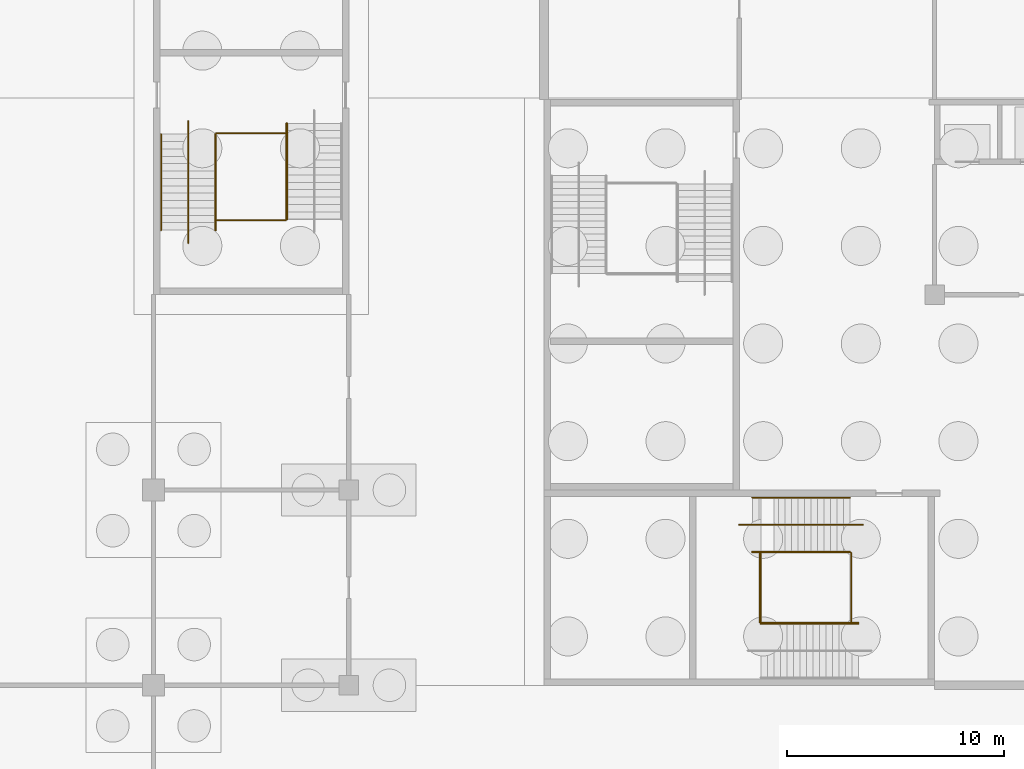
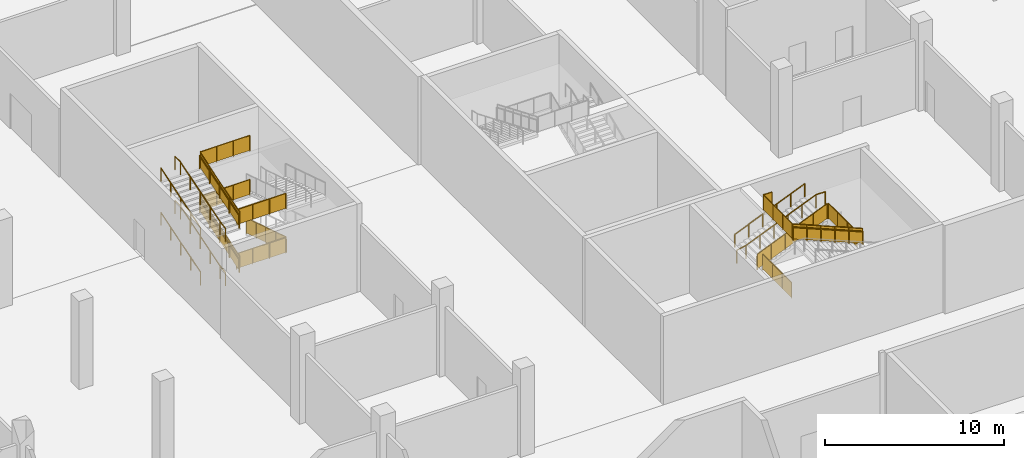
# One storey, part 27 of 42: 23 railings.
"""IFC4 building model written with IfcOpenShell, lengths in metres."""

from ifc_helpers import new_model, si_unit, direction, frame, origin, origin_2d, place, context, subcontext, project, spatial, polyline, circle, outline, extrude, material, type_object, element, save


model = new_model("IFC4")

# Units and contexts
model_context = context("Model", 3, precision=1e-05, world=origin(), true_north=direction((0.0, 1.0)))
body_context = subcontext(model_context, "Body", "Model", "MODEL_VIEW")
ifc_project = project(units=[si_unit("LENGTHUNIT", "METRE"), si_unit("AREAUNIT", "SQUARE_METRE"), si_unit("VOLUMEUNIT", "CUBIC_METRE"), si_unit("PLANEANGLEUNIT", "RADIAN"), si_unit("MASSUNIT", "GRAM", prefix="KILO")], contexts=[model_context])

# Site, building, storey
site_placement = place(None, origin())
site = spatial("IfcSite", under=ifc_project, at=site_placement, CompositionType="ELEMENT")
building_placement = place(site_placement, origin())
building = spatial("IfcBuilding", under=site, at=building_placement, Name="Silverbay Arena", CompositionType="ELEMENT")
storey_placement = place(building_placement, frame((0.0, 0.0, -6.0)))
storey = spatial("IfcBuildingStorey", under=building, at=storey_placement, Name="B1", CompositionType="ELEMENT", Elevation=-6.0)

# Railings
ifc_material_1 = material(Name="Stainless steel", Category="steel")
railing_type_1 = type_object("IfcRailingType", Name="Stair guard 1100", PredefinedType="GUARDRAIL", material=ifc_material_1)
railing_1_placement = place(storey_placement, frame((60.125, 61.899169921875, 0.107177734375)))
element("IfcRailing", 1, at=railing_1_placement, inside=storey, type_object=railing_type_1, Name="Stair ST-W1 B1 to L00 flight 1 guard right", PredefinedType="GUARDRAIL", context=body_context, shape_type="SweptSolid", body=[
    extrude(circle(Radius=0.02392578125, at=origin_2d()), frame((0.0, 0.0, 1.076171875), z_axis=(0.0, -0.953769580967, 0.300538826811), x_axis=(1.0, 0.0, 0.0)), (0.0, 0.0, 1.0), 4.634521484375),
    extrude(outline(polyline([(-0.008056640625, 0.04736328125), (1.113037109375, 0.400634765625), (1.113037109375, 1.40380859375), (-0.008056640625, 1.050537109375), (-0.008056640625, 0.04736328125)])), frame((0.0029296875, 0.0, 0.0), z_axis=(-1.0, 0.0, 0.0), x_axis=(0.0, -1.0, 0.0)), (0.0, 0.0, 1.0), 0.006103515625),
    extrude(outline(polyline([(-0.008056640625, 0.395751953125), (1.113037109375, 0.7490234375), (1.113037109375, 1.751953125), (-0.008056640625, 1.398681640625), (-0.008056640625, 0.395751953125)])), frame((0.0029296875, -1.10498046875, 0.0), z_axis=(-1.0, 0.0, 0.0), x_axis=(0.0, -1.0, 0.0)), (0.0, 0.0, 1.0), 0.006103515625),
    extrude(outline(polyline([(-0.008056640625, 0.743896484375), (1.113037109375, 1.09716796875), (1.113037109375, 2.10009765625), (-0.008056640625, 1.746826171875), (-0.008056640625, 0.743896484375)])), frame((0.0029296875, -2.2099609375, 0.0), z_axis=(-1.0, 0.0, 0.0), x_axis=(0.0, -1.0, 0.0)), (0.0, 0.0, 1.0), 0.006103515625),
    extrude(outline(polyline([(-0.008056640625, 1.092041015625), (1.113037109375, 1.4453125), (1.113037109375, 2.4482421875), (-0.008056640625, 2.09521484375), (-0.008056640625, 1.092041015625)])), frame((0.0029296875, -3.315185546875, 0.0), z_axis=(-1.0, 0.0, 0.0), x_axis=(0.0, -1.0, 0.0)), (0.0, 0.0, 1.0), 0.006103515625),
    extrude(circle(Radius=0.02099609375, at=origin_2d()), origin(), (0.0, 0.0, 1.0), 1.052001953125),
    extrude(circle(Radius=0.02099609375, at=origin_2d()), frame((0.0, -1.10498046875, 0.34814453125)), (0.0, 0.0, 1.0), 1.052001953125),
    extrude(circle(Radius=0.02099609375, at=origin_2d()), frame((0.0, -2.2099609375, 0.6962890625)), (0.0, 0.0, 1.0), 1.052001953125),
    extrude(circle(Radius=0.02099609375, at=origin_2d()), frame((0.0, -3.315185546875, 1.044677734375)), (0.0, 0.0, 1.0), 1.052001953125),
    extrude(circle(Radius=0.02099609375, at=origin_2d()), frame((0.0, -4.420166015625, 1.392822265625)), (0.0, 0.0, 1.0), 1.052001953125),
])
railing_2_placement = place(storey_placement, frame((56.875, 56.97998046875, 1.607177734375)))
element("IfcRailing", 2, at=railing_2_placement, inside=storey, type_object=railing_type_1, Name="Stair ST-W1 B1 to L00 flight 2 guard left", PredefinedType="GUARDRAIL", context=body_context, shape_type="SweptSolid", body=[
    extrude(circle(Radius=0.02392578125, at=origin_2d()), frame((0.0, 0.0, 1.076171875), z_axis=(0.0, 0.953764822371, 0.300553927951), x_axis=(-1.0, 0.0, 0.0)), (0.0, 0.0, 1.0), 4.63427734375),
    extrude(outline(polyline([(-0.008056640625, 0.04736328125), (1.113037109375, 0.400634765625), (1.113037109375, 1.40380859375), (-0.008056640625, 1.050537109375), (-0.008056640625, 0.04736328125)])), frame((-0.0029296875, 0.0, 0.0), z_axis=(1.0, 0.0, 0.0), x_axis=(0.0, 1.0, 0.0)), (0.0, 0.0, 1.0), 0.006103515625),
    extrude(outline(polyline([(-0.008056640625, 0.395751953125), (1.113037109375, 0.7490234375), (1.113037109375, 1.751953125), (-0.008056640625, 1.398681640625), (-0.008056640625, 0.395751953125)])), frame((-0.0029296875, 1.10498046875, 0.0), z_axis=(1.0, 0.0, 0.0), x_axis=(0.0, 1.0, 0.0)), (0.0, 0.0, 1.0), 0.006103515625),
    extrude(outline(polyline([(-0.008056640625, 0.743896484375), (1.113037109375, 1.09716796875), (1.113037109375, 2.10009765625), (-0.008056640625, 1.746826171875), (-0.008056640625, 0.743896484375)])), frame((-0.0029296875, 2.2099609375, 0.0), z_axis=(1.0, 0.0, 0.0), x_axis=(0.0, 1.0, 0.0)), (0.0, 0.0, 1.0), 0.006103515625),
    extrude(outline(polyline([(-0.008056640625, 1.092041015625), (1.113037109375, 1.4453125), (1.113037109375, 2.4482421875), (-0.008056640625, 2.09521484375), (-0.008056640625, 1.092041015625)])), frame((-0.0029296875, 3.31494140625, 0.0), z_axis=(1.0, 0.0, 0.0), x_axis=(0.0, 1.0, 0.0)), (0.0, 0.0, 1.0), 0.006103515625),
    extrude(circle(Radius=0.02099609375, at=origin_2d()), origin(), (0.0, 0.0, 1.0), 1.052001953125),
    extrude(circle(Radius=0.02099609375, at=origin_2d()), frame((0.0, 1.10498046875, 0.34814453125)), (0.0, 0.0, 1.0), 1.052001953125),
    extrude(circle(Radius=0.02099609375, at=origin_2d()), frame((0.0, 2.2099609375, 0.6962890625)), (0.0, 0.0, 1.0), 1.052001953125),
    extrude(circle(Radius=0.02099609375, at=origin_2d()), frame((0.0, 3.31494140625, 1.044677734375)), (0.0, 0.0, 1.0), 1.052001953125),
    extrude(circle(Radius=0.02099609375, at=origin_2d()), frame((0.0, 4.419921875, 1.392822265625)), (0.0, 0.0, 1.0), 1.052001953125),
])
railing_3_placement = place(storey_placement, frame((56.875, 56.97998046875, 4.607177734375)))
element("IfcRailing", 3, at=railing_3_placement, inside=storey, type_object=railing_type_1, Name="Stair ST-W1 B1 to L00 flight 4 guard left", PredefinedType="GUARDRAIL", context=body_context, shape_type="SweptSolid", body=[
    extrude(circle(Radius=0.02392578125, at=origin_2d()), frame((0.0, 0.0, 1.076171875), z_axis=(0.0, 0.953764822371, 0.300553927951), x_axis=(-1.0, 0.0, 0.0)), (0.0, 0.0, 1.0), 4.63427734375),
    extrude(outline(polyline([(-0.008056640625, 0.04736328125), (1.113037109375, 0.400634765625), (1.113037109375, 1.40380859375), (-0.008056640625, 1.050537109375), (-0.008056640625, 0.04736328125)])), frame((-0.0029296875, 0.0, 0.0), z_axis=(1.0, 0.0, 0.0), x_axis=(0.0, 1.0, 0.0)), (0.0, 0.0, 1.0), 0.006103515625),
    extrude(outline(polyline([(-0.008056640625, 0.395751953125), (1.113037109375, 0.7490234375), (1.113037109375, 1.751953125), (-0.008056640625, 1.398681640625), (-0.008056640625, 0.395751953125)])), frame((-0.0029296875, 1.10498046875, 0.0), z_axis=(1.0, 0.0, 0.0), x_axis=(0.0, 1.0, 0.0)), (0.0, 0.0, 1.0), 0.006103515625),
    extrude(outline(polyline([(-0.008056640625, 0.743896484375), (1.113037109375, 1.09716796875), (1.113037109375, 2.10009765625), (-0.008056640625, 1.746826171875), (-0.008056640625, 0.743896484375)])), frame((-0.0029296875, 2.2099609375, 0.0), z_axis=(1.0, 0.0, 0.0), x_axis=(0.0, 1.0, 0.0)), (0.0, 0.0, 1.0), 0.006103515625),
    extrude(outline(polyline([(-0.008056640625, 1.092041015625), (1.113037109375, 1.4453125), (1.113037109375, 2.4482421875), (-0.008056640625, 2.09521484375), (-0.008056640625, 1.092041015625)])), frame((-0.0029296875, 3.31494140625, 0.0), z_axis=(1.0, 0.0, 0.0), x_axis=(0.0, 1.0, 0.0)), (0.0, 0.0, 1.0), 0.006103515625),
    extrude(circle(Radius=0.02099609375, at=origin_2d()), origin(), (0.0, 0.0, 1.0), 1.052001953125),
    extrude(circle(Radius=0.02099609375, at=origin_2d()), frame((0.0, 1.10498046875, 0.34814453125)), (0.0, 0.0, 1.0), 1.052001953125),
    extrude(circle(Radius=0.02099609375, at=origin_2d()), frame((0.0, 2.2099609375, 0.6962890625)), (0.0, 0.0, 1.0), 1.052001953125),
    extrude(circle(Radius=0.02099609375, at=origin_2d()), frame((0.0, 3.31494140625, 1.044677734375)), (0.0, 0.0, 1.0), 1.052001953125),
    extrude(circle(Radius=0.02099609375, at=origin_2d()), frame((0.0, 4.419921875, 1.392822265625)), (0.0, 0.0, 1.0), 1.052001953125),
])
for number, where, name in (
    (4, (60.10009765625, 57.428955078125, 1.5), "Stair ST-W1 B1 to L00 landing 1 guard"),
    (5, (60.10009765625, 61.449951171875, 3.0), "Stair ST-W1 B1 to L00 landing 2 guard"),
    (6, (60.10009765625, 57.428955078125, 4.5), "Stair ST-W1 B1 to L00 landing 3 guard"),
    (7, (60.10009765625, 61.449951171875, 6.0), "Stair ST-W1 B1 to L00 landing 4 guard"),
):
    element("IfcRailing", number, at=place(storey_placement, frame(where)), inside=storey, type_object=railing_type_1, Name=name, PredefinedType="GUARDRAIL", context=body_context, shape_type="SweptSolid", body=[
        extrude(circle(Radius=0.02392578125, at=origin_2d()), frame((0.0, 0.0, 1.076171875), z_axis=(-1.0, 0.0, 0.0), x_axis=(0.0, -1.0, 0.0)), (0.0, 0.0, 1.0), 3.2001953125),
        extrude(outline(polyline([(-0.008056640625, 0.050048828125), (1.07470703125, 0.050048828125), (1.07470703125, 1.052978515625), (-0.008056640625, 1.052978515625), (-0.008056640625, 0.050048828125)])), frame((0.0, -0.0029296875, 0.0), z_axis=(0.0, 1.0, 0.0), x_axis=(-1.0, 0.0, 0.0)), (0.0, 0.0, 1.0), 0.006103515625),
        extrude(outline(polyline([(-0.008056640625, 0.050048828125), (1.07470703125, 0.050048828125), (1.07470703125, 1.052978515625), (-0.008056640625, 1.052978515625), (-0.008056640625, 0.050048828125)])), frame((-1.066650390625, -0.0029296875, 0.0), z_axis=(0.0, 1.0, 0.0), x_axis=(-1.0, 0.0, 0.0)), (0.0, 0.0, 1.0), 0.006103515625),
        extrude(outline(polyline([(-0.008056640625, 0.050048828125), (1.07470703125, 0.050048828125), (1.07470703125, 1.052978515625), (-0.008056640625, 1.052978515625), (-0.008056640625, 0.050048828125)])), frame((-2.133544921875, -0.0029296875, 0.0), z_axis=(0.0, 1.0, 0.0), x_axis=(-1.0, 0.0, 0.0)), (0.0, 0.0, 1.0), 0.006103515625),
        extrude(circle(Radius=0.02099609375, at=origin_2d()), origin(), (0.0, 0.0, 1.0), 1.052001953125),
        extrude(circle(Radius=0.02099609375, at=origin_2d()), frame((-1.066650390625, 0.0, 0.0)), (0.0, 0.0, 1.0), 1.052001953125),
        extrude(circle(Radius=0.02099609375, at=origin_2d()), frame((-2.133544921875, 0.0, 0.0)), (0.0, 0.0, 1.0), 1.052001953125),
        extrude(circle(Radius=0.02099609375, at=origin_2d()), frame((-3.2001953125, 0.0, 0.0)), (0.0, 0.0, 1.0), 1.052001953125),
    ])
railing_4_placement = place(storey_placement, frame((81.60009765625, 42.125, 2.125)))
element("IfcRailing", 8, at=railing_4_placement, inside=storey, type_object=railing_type_1, Name="Stair ST-SW1 B1 to L00 flight 2 guard right", PredefinedType="GUARDRAIL", context=body_context, shape_type="SweptSolid", body=[
    extrude(circle(Radius=0.02392578125, at=origin_2d()), frame((0.0, 0.0, 1.076171875), z_axis=(0.923076923077, 0.0, 0.384615384615), x_axis=(0.0, 1.0, 0.0)), (0.0, 0.0, 1.0), 4.875),
    extrude(outline(polyline([(-0.008056640625, 0.046630859375), (0.907958984375, 0.42822265625), (0.907958984375, 1.431396484375), (-0.008056640625, 1.049560546875), (-0.008056640625, 0.046630859375)])), frame((0.0, 0.0029296875, 0.0), z_axis=(0.0, -1.0, 0.0), x_axis=(1.0, 0.0, 0.0)), (0.0, 0.0, 1.0), 0.006103515625),
    extrude(outline(polyline([(-0.008056640625, 0.421630859375), (0.907958984375, 0.80322265625), (0.907958984375, 1.806396484375), (-0.008056640625, 1.424560546875), (-0.008056640625, 0.421630859375)])), frame((0.89990234375, 0.0029296875, 0.0), z_axis=(0.0, -1.0, 0.0), x_axis=(1.0, 0.0, 0.0)), (0.0, 0.0, 1.0), 0.006103515625),
    extrude(outline(polyline([(-0.008056640625, 0.796630859375), (0.907958984375, 1.17822265625), (0.907958984375, 2.181396484375), (-0.008056640625, 1.799560546875), (-0.008056640625, 0.796630859375)])), frame((1.800048828125, 0.0029296875, 0.0), z_axis=(0.0, -1.0, 0.0), x_axis=(1.0, 0.0, 0.0)), (0.0, 0.0, 1.0), 0.006103515625),
    extrude(outline(polyline([(-0.008056640625, 1.171630859375), (0.907958984375, 1.55322265625), (0.907958984375, 2.556396484375), (-0.008056640625, 2.174560546875), (-0.008056640625, 1.171630859375)])), frame((2.699951171875, 0.0029296875, 0.0), z_axis=(0.0, -1.0, 0.0), x_axis=(1.0, 0.0, 0.0)), (0.0, 0.0, 1.0), 0.006103515625),
    extrude(outline(polyline([(-0.008056640625, 1.546630859375), (0.907958984375, 1.92822265625), (0.907958984375, 2.931396484375), (-0.008056640625, 2.549560546875), (-0.008056640625, 1.546630859375)])), frame((3.60009765625, 0.0029296875, 0.0), z_axis=(0.0, -1.0, 0.0), x_axis=(1.0, 0.0, 0.0)), (0.0, 0.0, 1.0), 0.006103515625),
    extrude(circle(Radius=0.02099609375, at=origin_2d()), origin(), (0.0, 0.0, 1.0), 1.052001953125),
    extrude(circle(Radius=0.02099609375, at=origin_2d()), frame((0.89990234375, 0.0, 0.375)), (0.0, 0.0, 1.0), 1.052001953125),
    extrude(circle(Radius=0.02099609375, at=origin_2d()), frame((1.800048828125, 0.0, 0.75)), (0.0, 0.0, 1.0), 1.052001953125),
    extrude(circle(Radius=0.02099609375, at=origin_2d()), frame((2.699951171875, 0.0, 1.125)), (0.0, 0.0, 1.0), 1.052001953125),
    extrude(circle(Radius=0.02099609375, at=origin_2d()), frame((3.60009765625, 0.0, 1.5)), (0.0, 0.0, 1.0), 1.052001953125),
    extrude(circle(Radius=0.02099609375, at=origin_2d()), frame((4.5, 0.0, 1.875)), (0.0, 0.0, 1.0), 1.052001953125),
])
railing_5_placement = place(storey_placement, frame((86.489990234375, 38.875, 4.125)))
element("IfcRailing", 9, at=railing_5_placement, inside=storey, type_object=railing_type_1, Name="Stair ST-SW1 B1 to L00 flight 3 guard left", PredefinedType="GUARDRAIL", context=body_context, shape_type="SweptSolid", body=[
    extrude(circle(Radius=0.02392578125, at=origin_2d()), frame((0.0, 0.0, 1.076171875), z_axis=(-0.923076923077, 0.0, 0.384615384615), x_axis=(0.0, -1.0, 0.0)), (0.0, 0.0, 1.0), 4.875),
    extrude(outline(polyline([(-0.008056640625, 0.046630859375), (0.907958984375, 0.42822265625), (0.907958984375, 1.431396484375), (-0.008056640625, 1.049560546875), (-0.008056640625, 0.046630859375)])), frame((0.0, -0.0029296875, 0.0), z_axis=(0.0, 1.0, 0.0), x_axis=(-1.0, 0.0, 0.0)), (0.0, 0.0, 1.0), 0.006103515625),
    extrude(outline(polyline([(-0.008056640625, 0.421630859375), (0.907958984375, 0.80322265625), (0.907958984375, 1.806396484375), (-0.008056640625, 1.424560546875), (-0.008056640625, 0.421630859375)])), frame((-0.89990234375, -0.0029296875, 0.0), z_axis=(0.0, 1.0, 0.0), x_axis=(-1.0, 0.0, 0.0)), (0.0, 0.0, 1.0), 0.006103515625),
    extrude(outline(polyline([(-0.008056640625, 0.796630859375), (0.907958984375, 1.17822265625), (0.907958984375, 2.181396484375), (-0.008056640625, 1.799560546875), (-0.008056640625, 0.796630859375)])), frame((-1.800048828125, -0.0029296875, 0.0), z_axis=(0.0, 1.0, 0.0), x_axis=(-1.0, 0.0, 0.0)), (0.0, 0.0, 1.0), 0.006103515625),
    extrude(outline(polyline([(-0.008056640625, 1.171630859375), (0.907958984375, 1.55322265625), (0.907958984375, 2.556396484375), (-0.008056640625, 2.174560546875), (-0.008056640625, 1.171630859375)])), frame((-2.699951171875, -0.0029296875, 0.0), z_axis=(0.0, 1.0, 0.0), x_axis=(-1.0, 0.0, 0.0)), (0.0, 0.0, 1.0), 0.006103515625),
    extrude(outline(polyline([(-0.008056640625, 1.546630859375), (0.907958984375, 1.92822265625), (0.907958984375, 2.931396484375), (-0.008056640625, 2.549560546875), (-0.008056640625, 1.546630859375)])), frame((-3.60009765625, -0.0029296875, 0.0), z_axis=(0.0, 1.0, 0.0), x_axis=(-1.0, 0.0, 0.0)), (0.0, 0.0, 1.0), 0.006103515625),
    extrude(circle(Radius=0.02099609375, at=origin_2d()), origin(), (0.0, 0.0, 1.0), 1.052001953125),
    extrude(circle(Radius=0.02099609375, at=origin_2d()), frame((-0.89990234375, 0.0, 0.375)), (0.0, 0.0, 1.0), 1.052001953125),
    extrude(circle(Radius=0.02099609375, at=origin_2d()), frame((-1.800048828125, 0.0, 0.75)), (0.0, 0.0, 1.0), 1.052001953125),
    extrude(circle(Radius=0.02099609375, at=origin_2d()), frame((-2.699951171875, 0.0, 1.125)), (0.0, 0.0, 1.0), 1.052001953125),
    extrude(circle(Radius=0.02099609375, at=origin_2d()), frame((-3.60009765625, 0.0, 1.5)), (0.0, 0.0, 1.0), 1.052001953125),
    extrude(circle(Radius=0.02099609375, at=origin_2d()), frame((-4.5, 0.0, 1.875)), (0.0, 0.0, 1.0), 1.052001953125),
])
for number, where, name in (
    (10, (81.93994140625, 42.10009765625, 2.0), "Stair ST-SW1 B1 to L00 landing 1 guard"),
    (11, (86.14990234375, 42.10009765625, 4.0), "Stair ST-SW1 B1 to L00 landing 2 guard"),
):
    element("IfcRailing", number, at=place(storey_placement, frame(where)), inside=storey, type_object=railing_type_1, Name=name, PredefinedType="GUARDRAIL", context=body_context, shape_type="SweptSolid", body=[
        extrude(circle(Radius=0.02392578125, at=origin_2d()), frame((0.0, 0.0, 1.076171875), z_axis=(0.0, -1.0, 0.0), x_axis=(1.0, 0.0, 0.0)), (0.0, 0.0, 1.0), 3.2001953125),
        extrude(outline(polyline([(-0.008056640625, 0.050048828125), (1.07470703125, 0.050048828125), (1.07470703125, 1.052978515625), (-0.008056640625, 1.052978515625), (-0.008056640625, 0.050048828125)])), frame((0.0029296875, 0.0, 0.0), z_axis=(-1.0, 0.0, 0.0), x_axis=(0.0, -1.0, 0.0)), (0.0, 0.0, 1.0), 0.006103515625),
        extrude(outline(polyline([(-0.008056640625, 0.050048828125), (1.07470703125, 0.050048828125), (1.07470703125, 1.052978515625), (-0.008056640625, 1.052978515625), (-0.008056640625, 0.050048828125)])), frame((0.0029296875, -1.066650390625, 0.0), z_axis=(-1.0, 0.0, 0.0), x_axis=(0.0, -1.0, 0.0)), (0.0, 0.0, 1.0), 0.006103515625),
        extrude(outline(polyline([(-0.008056640625, 0.050048828125), (1.07470703125, 0.050048828125), (1.07470703125, 1.052978515625), (-0.008056640625, 1.052978515625), (-0.008056640625, 0.050048828125)])), frame((0.0029296875, -2.133544921875, 0.0), z_axis=(-1.0, 0.0, 0.0), x_axis=(0.0, -1.0, 0.0)), (0.0, 0.0, 1.0), 0.006103515625),
        extrude(circle(Radius=0.02099609375, at=origin_2d()), origin(), (0.0, 0.0, 1.0), 1.052001953125),
        extrude(circle(Radius=0.02099609375, at=origin_2d()), frame((0.0, -1.066650390625, 0.0)), (0.0, 0.0, 1.0), 1.052001953125),
        extrude(circle(Radius=0.02099609375, at=origin_2d()), frame((0.0, -2.133544921875, 0.0)), (0.0, 0.0, 1.0), 1.052001953125),
        extrude(circle(Radius=0.02099609375, at=origin_2d()), frame((0.0, -3.2001953125, 0.0)), (0.0, 0.0, 1.0), 1.052001953125),
    ])
railing_6_placement = place(storey_placement, frame((82.550048828125, 42.14990234375, 6.0)))
element("IfcRailing", 12, at=railing_6_placement, inside=storey, type_object=railing_type_1, Name="Stair ST-SW1 B1 to L00 landing 3 guard", PredefinedType="GUARDRAIL", context=body_context, shape_type="SweptSolid", body=[
    extrude(circle(Radius=0.02392578125, at=origin_2d()), frame((0.0, 0.0, 1.076171875), z_axis=(-1.0, 0.0, 0.0), x_axis=(0.0, -1.0, 0.0)), (0.0, 0.0, 1.0), 0.56005859375),
    extrude(outline(polyline([(-0.008056640625, 0.050048828125), (0.568115234375, 0.050048828125), (0.568115234375, 1.052978515625), (-0.008056640625, 1.052978515625), (-0.008056640625, 0.050048828125)])), frame((0.0, -0.0029296875, 0.0), z_axis=(0.0, 1.0, 0.0), x_axis=(-1.0, 0.0, 0.0)), (0.0, 0.0, 1.0), 0.006103515625),
    extrude(circle(Radius=0.02392578125, at=origin_2d()), frame((-0.56005859375, 0.0, 1.076171875), z_axis=(0.0, -1.0, 0.0), x_axis=(1.0, 0.0, 0.0)), (0.0, 0.0, 1.0), 3.25),
    extrude(outline(polyline([(-0.008056640625, 0.050048828125), (1.09130859375, 0.050048828125), (1.09130859375, 1.052978515625), (-0.008056640625, 1.052978515625), (-0.008056640625, 0.050048828125)])), frame((-0.55712890625, 0.0, 0.0), z_axis=(-1.0, 0.0, 0.0), x_axis=(0.0, -1.0, 0.0)), (0.0, 0.0, 1.0), 0.006103515625),
    extrude(outline(polyline([(-0.008056640625, 0.050048828125), (1.09130859375, 0.050048828125), (1.09130859375, 1.052978515625), (-0.008056640625, 1.052978515625), (-0.008056640625, 0.050048828125)])), frame((-0.55712890625, -1.083251953125, 0.0), z_axis=(-1.0, 0.0, 0.0), x_axis=(0.0, -1.0, 0.0)), (0.0, 0.0, 1.0), 0.006103515625),
    extrude(outline(polyline([(-0.008056640625, 0.050048828125), (1.09130859375, 0.050048828125), (1.09130859375, 1.052978515625), (-0.008056640625, 1.052978515625), (-0.008056640625, 0.050048828125)])), frame((-0.55712890625, -2.166748046875, 0.0), z_axis=(-1.0, 0.0, 0.0), x_axis=(0.0, -1.0, 0.0)), (0.0, 0.0, 1.0), 0.006103515625),
    extrude(circle(Radius=0.02099609375, at=origin_2d()), origin(), (0.0, 0.0, 1.0), 1.052001953125),
    extrude(circle(Radius=0.02099609375, at=origin_2d()), frame((-0.56005859375, 0.0, 0.0)), (0.0, 0.0, 1.0), 1.052001953125),
    extrude(circle(Radius=0.02099609375, at=origin_2d()), frame((-0.56005859375, -1.083251953125, 0.0)), (0.0, 0.0, 1.0), 1.052001953125),
    extrude(circle(Radius=0.02099609375, at=origin_2d()), frame((-0.56005859375, -2.166748046875, 0.0)), (0.0, 0.0, 1.0), 1.052001953125),
    extrude(circle(Radius=0.02099609375, at=origin_2d()), frame((-0.56005859375, -3.25, 0.0)), (0.0, 0.0, 1.0), 1.052001953125),
])
ifc_material_2 = material(Name="Stainless steel", Category="steel")
railing_type_2 = type_object("IfcRailingType", Name="Stair handrail 900", PredefinedType="HANDRAIL", material=ifc_material_2)
railing_7_placement = place(storey_placement, frame((60.1640625, 61.899169921875, 0.107177734375)))
element("IfcRailing", 13, at=railing_7_placement, inside=storey, type_object=railing_type_2, Name="Stair ST-W1 B1 to L00 flight 1 handrail right", PredefinedType="HANDRAIL", context=body_context, shape_type="SweptSolid", body=[
    extrude(circle(Radius=0.02392578125, at=origin_2d()), frame((0.0, 0.0, 0.8759765625), z_axis=(0.0, -0.953769580967, 0.300538826811), x_axis=(1.0, 0.0, 0.0)), (0.0, 0.0, 1.0), 4.634521484375),
    extrude(circle(Radius=0.02099609375, at=origin_2d()), origin(), (0.0, 0.0, 1.0), 0.851806640625),
    extrude(circle(Radius=0.02099609375, at=origin_2d()), frame((0.0, -1.10498046875, 0.34814453125)), (0.0, 0.0, 1.0), 0.851806640625),
    extrude(circle(Radius=0.02099609375, at=origin_2d()), frame((0.0, -2.2099609375, 0.6962890625)), (0.0, 0.0, 1.0), 0.851806640625),
    extrude(circle(Radius=0.02099609375, at=origin_2d()), frame((0.0, -3.315185546875, 1.044677734375)), (0.0, 0.0, 1.0), 0.851806640625),
    extrude(circle(Radius=0.02099609375, at=origin_2d()), frame((0.0, -4.420166015625, 1.392822265625)), (0.0, 0.0, 1.0), 0.851806640625),
])
for number, where, name in (
    (14, (56.8359375, 56.97998046875, 1.607177734375), "Stair ST-W1 B1 to L00 flight 2 handrail left"),
    (15, (54.35009765625, 56.97998046875, 1.607177734375), "Stair ST-W1 B1 to L00 flight 2 handrail right"),
):
    element("IfcRailing", number, at=place(storey_placement, frame(where)), inside=storey, type_object=railing_type_2, Name=name, PredefinedType="HANDRAIL", context=body_context, shape_type="SweptSolid", body=[
        extrude(circle(Radius=0.02392578125, at=origin_2d()), frame((0.0, 0.0, 0.8759765625), z_axis=(0.0, 0.953764822371, 0.300553927951), x_axis=(-1.0, 0.0, 0.0)), (0.0, 0.0, 1.0), 4.63427734375),
        extrude(circle(Radius=0.02099609375, at=origin_2d()), origin(), (0.0, 0.0, 1.0), 0.851806640625),
        extrude(circle(Radius=0.02099609375, at=origin_2d()), frame((0.0, 1.10498046875, 0.34814453125)), (0.0, 0.0, 1.0), 0.851806640625),
        extrude(circle(Radius=0.02099609375, at=origin_2d()), frame((0.0, 2.2099609375, 0.6962890625)), (0.0, 0.0, 1.0), 0.851806640625),
        extrude(circle(Radius=0.02099609375, at=origin_2d()), frame((0.0, 3.31494140625, 1.044677734375)), (0.0, 0.0, 1.0), 0.851806640625),
        extrude(circle(Radius=0.02099609375, at=origin_2d()), frame((0.0, 4.419921875, 1.392822265625)), (0.0, 0.0, 1.0), 0.851806640625),
    ])
railing_8_placement = place(storey_placement, frame((55.60009765625, 56.3798828125, 1.5)))
element("IfcRailing", 16, at=railing_8_placement, inside=storey, type_object=railing_type_2, Name="Stair ST-W1 B1 to L00 flight 2 central handrail", PredefinedType="HANDRAIL", context=body_context, shape_type="SweptSolid", body=[
    extrude(circle(Radius=0.02392578125, at=origin_2d()), frame((0.0, 0.0, 0.8759765625), z_axis=(0.0, 0.984422624594, 0.175818361349), x_axis=(-1.0, 0.0, 0.0)), (0.0, 0.0, 1.0), 0.609619140625),
    extrude(circle(Radius=0.02392578125, at=origin_2d()), frame((0.0, 0.60009765625, 0.98291015625), z_axis=(0.0, 0.953764822371, 0.300553927951), x_axis=(-1.0, 0.0, 0.0)), (0.0, 0.0, 1.0), 4.63427734375),
    extrude(circle(Radius=0.02392578125, at=origin_2d()), frame((0.0, 5.02001953125, 2.3759765625), z_axis=(0.0, 1.0, 0.0), x_axis=(-1.0, 0.0, 0.0)), (0.0, 0.0, 1.0), 0.60009765625),
    extrude(circle(Radius=0.02099609375, at=origin_2d()), origin(), (0.0, 0.0, 1.0), 0.851806640625),
    extrude(circle(Radius=0.02099609375, at=origin_2d()), frame((0.0, 0.60009765625, 0.107177734375)), (0.0, 0.0, 1.0), 0.851806640625),
    extrude(circle(Radius=0.02099609375, at=origin_2d()), frame((0.0, 1.705078125, 0.455322265625)), (0.0, 0.0, 1.0), 0.851806640625),
    extrude(circle(Radius=0.02099609375, at=origin_2d()), frame((0.0, 2.81005859375, 0.8037109375)), (0.0, 0.0, 1.0), 0.851806640625),
    extrude(circle(Radius=0.02099609375, at=origin_2d()), frame((0.0, 3.9150390625, 1.15185546875)), (0.0, 0.0, 1.0), 0.851806640625),
    extrude(circle(Radius=0.02099609375, at=origin_2d()), frame((0.0, 5.02001953125, 1.5)), (0.0, 0.0, 1.0), 0.851806640625),
    extrude(circle(Radius=0.02099609375, at=origin_2d()), frame((0.0, 5.6201171875, 1.5)), (0.0, 0.0, 1.0), 0.851806640625),
])
for number, where, name in (
    (17, (56.8359375, 56.97998046875, 4.607177734375), "Stair ST-W1 B1 to L00 flight 4 handrail left"),
    (18, (54.35009765625, 56.97998046875, 4.607177734375), "Stair ST-W1 B1 to L00 flight 4 handrail right"),
):
    element("IfcRailing", number, at=place(storey_placement, frame(where)), inside=storey, type_object=railing_type_2, Name=name, PredefinedType="HANDRAIL", context=body_context, shape_type="SweptSolid", body=[
        extrude(circle(Radius=0.02392578125, at=origin_2d()), frame((0.0, 0.0, 0.8759765625), z_axis=(0.0, 0.953764822371, 0.300553927951), x_axis=(-1.0, 0.0, 0.0)), (0.0, 0.0, 1.0), 4.63427734375),
        extrude(circle(Radius=0.02099609375, at=origin_2d()), origin(), (0.0, 0.0, 1.0), 0.851806640625),
        extrude(circle(Radius=0.02099609375, at=origin_2d()), frame((0.0, 1.10498046875, 0.34814453125)), (0.0, 0.0, 1.0), 0.851806640625),
        extrude(circle(Radius=0.02099609375, at=origin_2d()), frame((0.0, 2.2099609375, 0.6962890625)), (0.0, 0.0, 1.0), 0.851806640625),
        extrude(circle(Radius=0.02099609375, at=origin_2d()), frame((0.0, 3.31494140625, 1.044677734375)), (0.0, 0.0, 1.0), 0.851806640625),
        extrude(circle(Radius=0.02099609375, at=origin_2d()), frame((0.0, 4.419921875, 1.392822265625)), (0.0, 0.0, 1.0), 0.851806640625),
    ])
railing_9_placement = place(storey_placement, frame((55.60009765625, 56.3798828125, 4.5)))
element("IfcRailing", 19, at=railing_9_placement, inside=storey, type_object=railing_type_2, Name="Stair ST-W1 B1 to L00 flight 4 central handrail", PredefinedType="HANDRAIL", context=body_context, shape_type="SweptSolid", body=[
    extrude(circle(Radius=0.02392578125, at=origin_2d()), frame((0.0, 0.0, 0.8759765625), z_axis=(0.0, 0.984422624594, 0.175818361349), x_axis=(-1.0, 0.0, 0.0)), (0.0, 0.0, 1.0), 0.609619140625),
    extrude(circle(Radius=0.02392578125, at=origin_2d()), frame((0.0, 0.60009765625, 0.98291015625), z_axis=(0.0, 0.953764822371, 0.300553927951), x_axis=(-1.0, 0.0, 0.0)), (0.0, 0.0, 1.0), 4.63427734375),
    extrude(circle(Radius=0.02392578125, at=origin_2d()), frame((0.0, 5.02001953125, 2.3759765625), z_axis=(0.0, 1.0, 0.0), x_axis=(-1.0, 0.0, 0.0)), (0.0, 0.0, 1.0), 0.60009765625),
    extrude(circle(Radius=0.02099609375, at=origin_2d()), origin(), (0.0, 0.0, 1.0), 0.851806640625),
    extrude(circle(Radius=0.02099609375, at=origin_2d()), frame((0.0, 0.60009765625, 0.107177734375)), (0.0, 0.0, 1.0), 0.851806640625),
    extrude(circle(Radius=0.02099609375, at=origin_2d()), frame((0.0, 1.705078125, 0.455322265625)), (0.0, 0.0, 1.0), 0.851806640625),
    extrude(circle(Radius=0.02099609375, at=origin_2d()), frame((0.0, 2.81005859375, 0.8037109375)), (0.0, 0.0, 1.0), 0.851806640625),
    extrude(circle(Radius=0.02099609375, at=origin_2d()), frame((0.0, 3.9150390625, 1.15185546875)), (0.0, 0.0, 1.0), 0.851806640625),
    extrude(circle(Radius=0.02099609375, at=origin_2d()), frame((0.0, 5.02001953125, 1.5)), (0.0, 0.0, 1.0), 0.851806640625),
    extrude(circle(Radius=0.02099609375, at=origin_2d()), frame((0.0, 5.6201171875, 1.5)), (0.0, 0.0, 1.0), 0.851806640625),
])
for number, where, name in (
    (20, (81.60009765625, 44.64990234375, 2.125), "Stair ST-SW1 B1 to L00 flight 2 handrail left"),
    (21, (81.60009765625, 42.1640625, 2.125), "Stair ST-SW1 B1 to L00 flight 2 handrail right"),
):
    element("IfcRailing", number, at=place(storey_placement, frame(where)), inside=storey, type_object=railing_type_2, Name=name, PredefinedType="HANDRAIL", context=body_context, shape_type="SweptSolid", body=[
        extrude(circle(Radius=0.02392578125, at=origin_2d()), frame((0.0, 0.0, 0.8759765625), z_axis=(0.923076923077, 0.0, 0.384615384615), x_axis=(0.0, 1.0, 0.0)), (0.0, 0.0, 1.0), 4.875),
        extrude(circle(Radius=0.02099609375, at=origin_2d()), origin(), (0.0, 0.0, 1.0), 0.851806640625),
        extrude(circle(Radius=0.02099609375, at=origin_2d()), frame((0.89990234375, 0.0, 0.375)), (0.0, 0.0, 1.0), 0.851806640625),
        extrude(circle(Radius=0.02099609375, at=origin_2d()), frame((1.800048828125, 0.0, 0.75)), (0.0, 0.0, 1.0), 0.851806640625),
        extrude(circle(Radius=0.02099609375, at=origin_2d()), frame((2.699951171875, 0.0, 1.125)), (0.0, 0.0, 1.0), 0.851806640625),
        extrude(circle(Radius=0.02099609375, at=origin_2d()), frame((3.60009765625, 0.0, 1.5)), (0.0, 0.0, 1.0), 0.851806640625),
        extrude(circle(Radius=0.02099609375, at=origin_2d()), frame((4.5, 0.0, 1.875)), (0.0, 0.0, 1.0), 0.851806640625),
    ])
railing_10_placement = place(storey_placement, frame((81.0, 43.39990234375, 2.0)))
element("IfcRailing", 22, at=railing_10_placement, inside=storey, type_object=railing_type_2, Name="Stair ST-SW1 B1 to L00 flight 2 central handrail", PredefinedType="HANDRAIL", context=body_context, shape_type="SweptSolid", body=[
    extrude(circle(Radius=0.02392578125, at=origin_2d()), frame((0.0, 0.0, 0.8759765625), z_axis=(0.978987046276, 0.0, 0.203922444139), x_axis=(0.0, 1.0, 0.0)), (0.0, 0.0, 1.0), 0.613037109375),
    extrude(circle(Radius=0.02392578125, at=origin_2d()), frame((0.60009765625, 0.0, 1.0009765625), z_axis=(0.923076923077, 0.0, 0.384615384615), x_axis=(0.0, 1.0, 0.0)), (0.0, 0.0, 1.0), 4.875),
    extrude(circle(Radius=0.02392578125, at=origin_2d()), frame((5.10009765625, 0.0, 2.8759765625), z_axis=(1.0, 0.0, 0.0), x_axis=(0.0, 1.0, 0.0)), (0.0, 0.0, 1.0), 0.599853515625),
    extrude(circle(Radius=0.02099609375, at=origin_2d()), origin(), (0.0, 0.0, 1.0), 0.851806640625),
    extrude(circle(Radius=0.02099609375, at=origin_2d()), frame((0.60009765625, 0.0, 0.125)), (0.0, 0.0, 1.0), 0.851806640625),
    extrude(circle(Radius=0.02099609375, at=origin_2d()), frame((1.5, 0.0, 0.5)), (0.0, 0.0, 1.0), 0.851806640625),
    extrude(circle(Radius=0.02099609375, at=origin_2d()), frame((2.400146484375, 0.0, 0.875)), (0.0, 0.0, 1.0), 0.851806640625),
    extrude(circle(Radius=0.02099609375, at=origin_2d()), frame((3.300048828125, 0.0, 1.25)), (0.0, 0.0, 1.0), 0.851806640625),
    extrude(circle(Radius=0.02099609375, at=origin_2d()), frame((4.2001953125, 0.0, 1.625)), (0.0, 0.0, 1.0), 0.851806640625),
    extrude(circle(Radius=0.02099609375, at=origin_2d()), frame((5.10009765625, 0.0, 2.0)), (0.0, 0.0, 1.0), 0.851806640625),
    extrude(circle(Radius=0.02099609375, at=origin_2d()), frame((5.699951171875, 0.0, 2.0)), (0.0, 0.0, 1.0), 0.851806640625),
])
railing_11_placement = place(storey_placement, frame((86.489990234375, 38.8359375, 4.125)))
element("IfcRailing", 23, at=railing_11_placement, inside=storey, type_object=railing_type_2, Name="Stair ST-SW1 B1 to L00 flight 3 handrail left", PredefinedType="HANDRAIL", context=body_context, shape_type="SweptSolid", body=[
    extrude(circle(Radius=0.02392578125, at=origin_2d()), frame((0.0, 0.0, 0.8759765625), z_axis=(-0.923076923077, 0.0, 0.384615384615), x_axis=(0.0, -1.0, 0.0)), (0.0, 0.0, 1.0), 4.875),
    extrude(circle(Radius=0.02099609375, at=origin_2d()), origin(), (0.0, 0.0, 1.0), 0.851806640625),
    extrude(circle(Radius=0.02099609375, at=origin_2d()), frame((-0.89990234375, 0.0, 0.375)), (0.0, 0.0, 1.0), 0.851806640625),
    extrude(circle(Radius=0.02099609375, at=origin_2d()), frame((-1.800048828125, 0.0, 0.75)), (0.0, 0.0, 1.0), 0.851806640625),
    extrude(circle(Radius=0.02099609375, at=origin_2d()), frame((-2.699951171875, 0.0, 1.125)), (0.0, 0.0, 1.0), 0.851806640625),
    extrude(circle(Radius=0.02099609375, at=origin_2d()), frame((-3.60009765625, 0.0, 1.5)), (0.0, 0.0, 1.0), 0.851806640625),
    extrude(circle(Radius=0.02099609375, at=origin_2d()), frame((-4.5, 0.0, 1.875)), (0.0, 0.0, 1.0), 0.851806640625),
])

save(model, "model.ifc")
